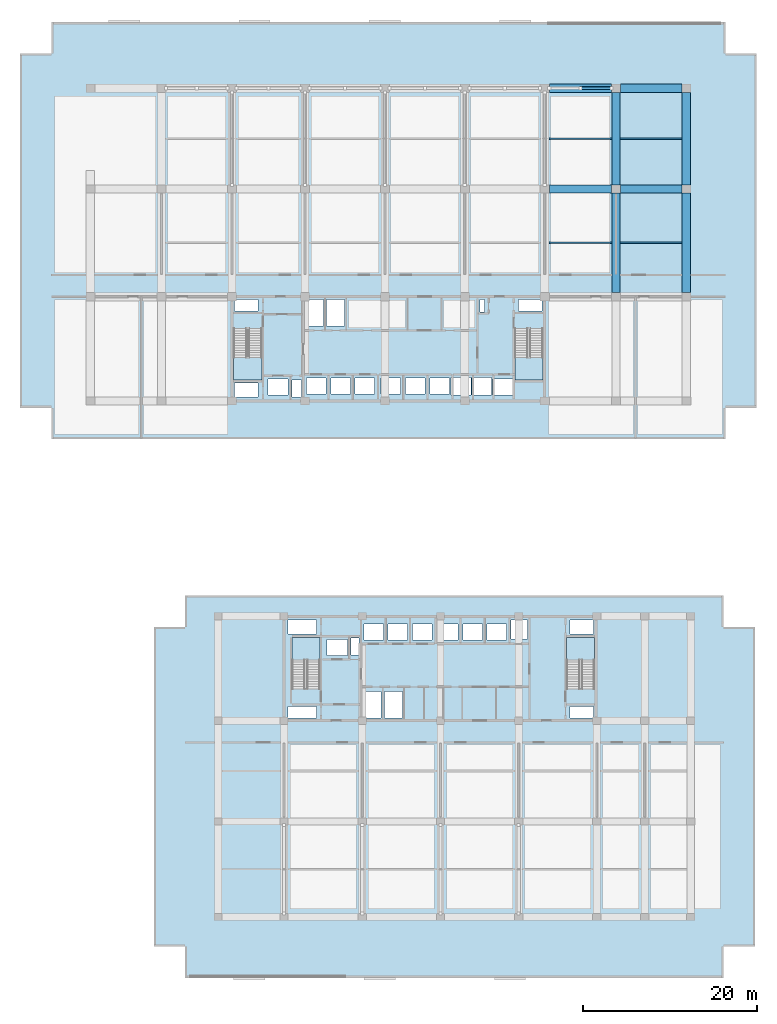
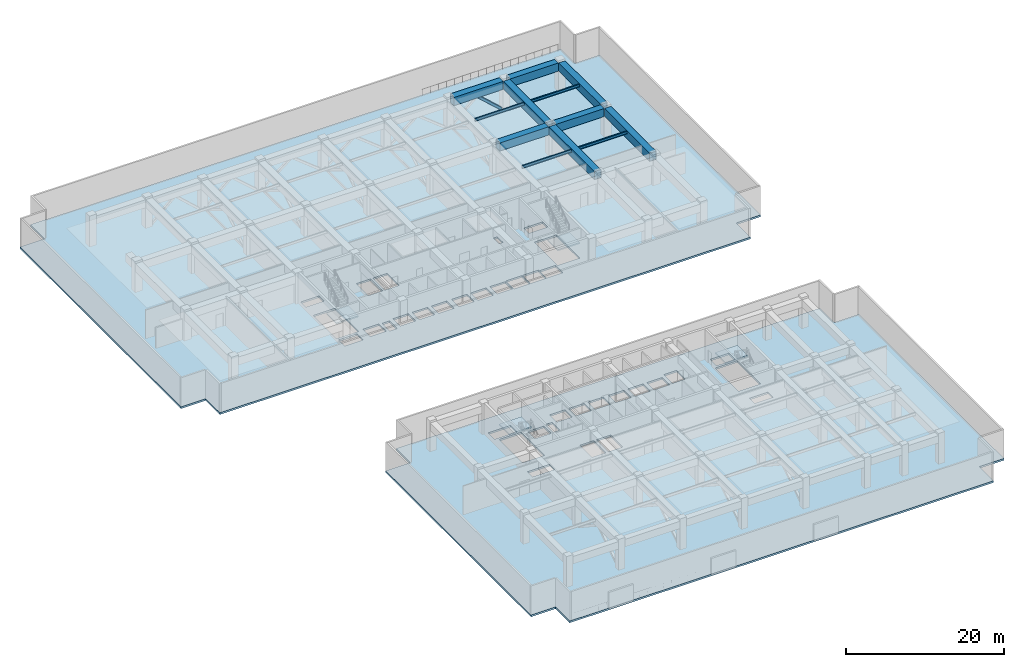
# One storey, part 3 of 21: 12 beams, 6 slabs, 1 member, 4 elements without a shape of their own.
"""IFC4 building model written with IfcOpenShell, lengths in metres."""

from ifc_helpers import new_model, si_unit, direction, frame, origin, origin_2d, place, context, subcontext, project, spatial, polyline, rectangle, hollow_rectangle, i_section, outline, extrude, material, layer, layer_set, material_profile, profile_set, type_object, element, aggregate, save


model = new_model("IFC4")

# Units and contexts
model_context = context("Model", 3, precision=1e-05, world=origin(), true_north=direction((0.0, 1.0)))
body_context = subcontext(model_context, "Body", "Model", "MODEL_VIEW")
ifc_project = project(units=[si_unit("LENGTHUNIT", "METRE"), si_unit("AREAUNIT", "SQUARE_METRE"), si_unit("VOLUMEUNIT", "CUBIC_METRE"), si_unit("PLANEANGLEUNIT", "RADIAN"), si_unit("MASSUNIT", "GRAM", prefix="KILO")], contexts=[model_context])

# Site, building, storey
site_placement = place(None, origin())
site = spatial("IfcSite", under=ifc_project, at=site_placement, CompositionType="ELEMENT")
building_placement = place(site_placement, origin())
building = spatial("IfcBuilding", under=site, at=building_placement, Name="Korimba Cascade Residences", CompositionType="ELEMENT")
storey_placement = place(building_placement, frame((0.0, 0.0, 76.0)))
storey = spatial("IfcBuildingStorey", under=building, at=storey_placement, Name="L21", CompositionType="ELEMENT", Elevation=76.0)

# Beams
ifc_material_1 = material(Name="Steel S355", Category="steel")
ifc_material_profile_1 = material_profile(ifc_material_1, i_section(OverallWidth=0.1787109375, OverallDepth=0.409423828125, WebThickness=0.0087890625, FlangeThickness=0.014404296875, FilletRadius=0.01025390625, at=origin_2d()), Name="Steel S355")
ifc_profile_set_1 = profile_set([ifc_material_profile_1], Name="Steel S355")
beam_type_1 = type_object("IfcBeamType", Name="BM-STL-UB406", PredefinedType="JOIST", material=ifc_profile_set_1)
beam_1_placement = place(storey_placement, frame((112.574951171875, 73.39990234375, 4.275390625), z_axis=(1.0, 0.0, 0.0), x_axis=(0.0, 1.0, 0.0)))
element("IfcBeam", 1, at=beam_1_placement, inside=storey, type_object=beam_type_1, Name="L21 T1 Floor Joist 1.7", PredefinedType="JOIST", context=body_context, shape_type="SweptSolid", body=[
    extrude(i_section(OverallWidth=0.1787109375, OverallDepth=0.409423828125, WebThickness=0.0087890625, FlangeThickness=0.014404296875, FilletRadius=0.01025390625, at=origin_2d()), origin(), (0.0, 0.0, 1.0), 7.25),
])
beam_2_placement = place(storey_placement, frame((120.77490234375, 73.39990234375, 4.275390625), z_axis=(1.0, 0.0, 0.0), x_axis=(0.0, 1.0, 0.0)))
element("IfcBeam", 2, at=beam_2_placement, inside=storey, type_object=beam_type_1, Name="L21 T1 Floor Joist 1.8", PredefinedType="JOIST", context=body_context, shape_type="SweptSolid", body=[
    extrude(i_section(OverallWidth=0.1787109375, OverallDepth=0.409423828125, WebThickness=0.0087890625, FlangeThickness=0.014404296875, FilletRadius=0.01025390625, at=origin_2d()), origin(), (0.0, 0.0, 1.0), 7.150146484375),
])
beam_3_placement = place(storey_placement, frame((112.574951171875, 85.39990234375, 4.275390625), z_axis=(1.0, 0.0, 0.0), x_axis=(0.0, 1.0, 0.0)))
element("IfcBeam", 3, at=beam_3_placement, inside=storey, type_object=beam_type_1, Name="L21 T1 Floor Joist 2.7", PredefinedType="JOIST", context=body_context, shape_type="SweptSolid", body=[
    extrude(i_section(OverallWidth=0.1787109375, OverallDepth=0.409423828125, WebThickness=0.0087890625, FlangeThickness=0.014404296875, FilletRadius=0.01025390625, at=origin_2d()), origin(), (0.0, 0.0, 1.0), 7.25),
])
beam_4_placement = place(storey_placement, frame((120.77490234375, 85.39990234375, 4.275390625), z_axis=(1.0, 0.0, 0.0), x_axis=(0.0, 1.0, 0.0)))
element("IfcBeam", 4, at=beam_4_placement, inside=storey, type_object=beam_type_1, Name="L21 T1 Floor Joist 2.8", PredefinedType="JOIST", context=body_context, shape_type="SweptSolid", body=[
    extrude(i_section(OverallWidth=0.1787109375, OverallDepth=0.409423828125, WebThickness=0.0087890625, FlangeThickness=0.014404296875, FilletRadius=0.01025390625, at=origin_2d()), origin(), (0.0, 0.0, 1.0), 7.150146484375),
])
ifc_material_2 = material(Name="Concrete C65/80", Category="concrete")
ifc_material_profile_2 = material_profile(ifc_material_2, rectangle(XDim=0.949951171875, YDim=1.25, at=origin_2d()), Name="Concrete C65/80")
ifc_profile_set_2 = profile_set([ifc_material_profile_2], Name="Concrete C65/80")
beam_type_2 = type_object("IfcBeamType", Name="BM-TRF-1250", PredefinedType="T_BEAM", material=ifc_profile_set_2)
beam_5_placement = place(storey_placement, frame((112.625, 79.60009765625, 3.85498046875), z_axis=(1.0, 0.0, 0.0), x_axis=(0.0, 1.0, 0.0)))
element("IfcBeam", 5, at=beam_5_placement, inside=storey, type_object=beam_type_2, Name="L21 T1 E-W Girder Y3 Bay 7", PredefinedType="T_BEAM", context=body_context, shape_type="SweptSolid", body=[
    extrude(rectangle(XDim=0.949951171875, YDim=1.25, at=origin_2d()), origin(), (0.0, 0.0, 1.0), 7.14990234375),
])
beam_6_placement = place(storey_placement, frame((120.824951171875, 79.60009765625, 3.85498046875), z_axis=(1.0, 0.0, 0.0), x_axis=(0.0, 1.0, 0.0)))
element("IfcBeam", 6, at=beam_6_placement, inside=storey, type_object=beam_type_2, Name="L21 T1 E-W Girder Y3 Bay 8", PredefinedType="T_BEAM", context=body_context, shape_type="SweptSolid", body=[
    extrude(rectangle(XDim=0.949951171875, YDim=1.25, at=origin_2d()), origin(), (0.0, 0.0, 1.0), 7.050048828125),
])
beam_7_placement = place(storey_placement, frame((112.625, 91.199951171875, 3.85498046875), z_axis=(1.0, 0.0, 0.0), x_axis=(0.0, 1.0, 0.0)))
element("IfcBeam", 7, at=beam_7_placement, inside=storey, type_object=beam_type_2, Name="L21 T1 E-W Girder Y4 Bay 7", PredefinedType="T_BEAM", context=body_context, shape_type="SweptSolid", body=[
    extrude(rectangle(XDim=0.949951171875, YDim=1.25, at=origin_2d()), origin(), (0.0, 0.0, 1.0), 7.14990234375),
])
beam_8_placement = place(storey_placement, frame((120.824951171875, 91.199951171875, 3.85498046875), z_axis=(1.0, 0.0, 0.0), x_axis=(0.0, 1.0, 0.0)))
element("IfcBeam", 8, at=beam_8_placement, inside=storey, type_object=beam_type_2, Name="L21 T1 E-W Girder Y4 Bay 8", PredefinedType="T_BEAM", context=body_context, shape_type="SweptSolid", body=[
    extrude(rectangle(XDim=0.949951171875, YDim=1.25, at=origin_2d()), origin(), (0.0, 0.0, 1.0), 7.050048828125),
])
beam_9_placement = place(storey_placement, frame((120.300048828125, 67.675048828125, 3.85498046875), z_axis=(0.0, 1.0, 0.0), x_axis=(-1.0, 0.0, 0.0)))
element("IfcBeam", 9, at=beam_9_placement, inside=storey, type_object=beam_type_2, Name="L21 T1 N-S Girder X8 Seg 2", PredefinedType="T_BEAM", context=body_context, shape_type="SweptSolid", body=[
    extrude(rectangle(XDim=0.949951171875, YDim=1.25, at=origin_2d()), origin(), (0.0, 0.0, 1.0), 11.449951171875),
])
beam_10_placement = place(storey_placement, frame((120.300048828125, 80.074951171875, 3.85498046875), z_axis=(0.0, 1.0, 0.0), x_axis=(-1.0, 0.0, 0.0)))
element("IfcBeam", 10, at=beam_10_placement, inside=storey, type_object=beam_type_2, Name="L21 T1 N-S Girder X8 Seg 3", PredefinedType="T_BEAM", context=body_context, shape_type="SweptSolid", body=[
    extrude(rectangle(XDim=0.949951171875, YDim=1.25, at=origin_2d()), origin(), (0.0, 0.0, 1.0), 10.650146484375),
])
beam_11_placement = place(storey_placement, frame((128.39990234375, 67.675048828125, 3.85498046875), z_axis=(0.0, 1.0, 0.0), x_axis=(-1.0, 0.0, 0.0)))
element("IfcBeam", 11, at=beam_11_placement, inside=storey, type_object=beam_type_2, Name="L21 T1 N-S Girder X9 Seg 2", PredefinedType="T_BEAM", context=body_context, shape_type="SweptSolid", body=[
    extrude(rectangle(XDim=0.949951171875, YDim=1.25, at=origin_2d()), origin(), (0.0, 0.0, 1.0), 11.449951171875),
])
beam_12_placement = place(storey_placement, frame((128.39990234375, 80.074951171875, 3.85498046875), z_axis=(0.0, 1.0, 0.0), x_axis=(-1.0, 0.0, 0.0)))
element("IfcBeam", 12, at=beam_12_placement, inside=storey, type_object=beam_type_2, Name="L21 T1 N-S Girder X9 Seg 3", PredefinedType="T_BEAM", context=body_context, shape_type="SweptSolid", body=[
    extrude(rectangle(XDim=0.949951171875, YDim=1.25, at=origin_2d()), origin(), (0.0, 0.0, 1.0), 10.650146484375),
])

# Member
ifc_material_3 = material(Name="Steel S460", Category="steel")
ifc_material_profile_3 = material_profile(ifc_material_3, hollow_rectangle(XDim=0.35009765625, YDim=0.35009765625, WallThickness=0.01611328125, InnerFilletRadius=0.01611328125, OuterFilletRadius=0.031982421875, at=origin_2d()), Name="Steel S460")
ifc_profile_set_3 = profile_set([ifc_material_profile_3], Name="Steel S460")
member_type = type_object("IfcMemberType", Name="MEM-BLT-SHS350", PredefinedType="BRACE", material=ifc_profile_set_3)
member_placement = place(storey_placement, frame((119.77490234375, 91.199951171875, 0.0), z_axis=(-0.742000185231, 0.0, 0.670399675654), x_axis=(0.0, -1.0, 0.0)))
element("IfcMember", 13, at=member_placement, inside=storey, type_object=member_type, Name="L21 T1 Belt Chevron 6B", PredefinedType="BRACE", context=body_context, shape_type="SweptSolid", body=[
    extrude(hollow_rectangle(XDim=0.35009765625, YDim=0.35009765625, WallThickness=0.01611328125, InnerFilletRadius=0.01611328125, OuterFilletRadius=0.031982421875, at=origin_2d()), origin(), (0.0, 0.0, 1.0), 4.81787109375),
])

# Stair, slab
ifc_material_4 = material(Name="Concrete C50/60", Category="concrete")
stair_type_1 = type_object("IfcStairType", Name="STR-W1-26R-1846", PredefinedType="HALF_TURN_STAIR", material=ifc_material_4)
stair_1_placement = place(storey_placement, origin())
stair_1 = element("IfcStair", 14, at=stair_1_placement, inside=storey, type_object=stair_type_1, Name="L21 Tower 1 West Fire Stair ST-W1", PredefinedType="HALF_TURN_STAIR")
ifc_layer_1 = layer(ifc_material_4, 0.199951171875)
ifc_layer_set_1 = layer_set([ifc_layer_1], Name="Concrete C50/60")
slab_type_1 = type_object("IfcSlabType", Name="SLB-LND-220", PredefinedType="LANDING", material=ifc_layer_set_1)
slab_1_placement = place(storey_placement, frame((0.0, 0.0, 2.199951171875)))
slab_1 = element("IfcSlab", 15, at=slab_1_placement, type_object=slab_type_1, Name="ST-W1 landing 1", PredefinedType="LANDING", context=body_context, shape_type="SweptSolid", body=[
    extrude(outline(polyline([(76.300048828125, 60.18994140625), (76.300048828125, 57.60009765625), (79.5400390625, 57.60009765625), (79.5400390625, 60.18994140625), (76.300048828125, 60.18994140625)])), origin(), (0.0, 0.0, 1.0), 0.199951171875),
])
aggregate(stair_1, [slab_1])

stair_type_2 = type_object("IfcStairType", Name="STR-W2-26R-1846", PredefinedType="HALF_TURN_STAIR", material=ifc_material_4)
stair_2_placement = place(storey_placement, origin())
stair_2 = element("IfcStair", 16, at=stair_2_placement, inside=storey, type_object=stair_type_2, Name="L21 Tower 1 East Fire Stair ST-W2", PredefinedType="HALF_TURN_STAIR")
slab_2_placement = place(storey_placement, frame((0.0, 0.0, 2.199951171875)))
slab_2 = element("IfcSlab", 17, at=slab_2_placement, type_object=slab_type_1, Name="ST-W2 landing 1", PredefinedType="LANDING", context=body_context, shape_type="SweptSolid", body=[
    extrude(outline(polyline([(108.659912109375, 60.18994140625), (108.659912109375, 57.60009765625), (111.89990234375, 57.60009765625), (111.89990234375, 60.18994140625), (108.659912109375, 60.18994140625)])), origin(), (0.0, 0.0, 1.0), 0.199951171875),
])
aggregate(stair_2, [slab_2])

stair_type_3 = type_object("IfcStairType", Name="STR-E1-26R-1846", PredefinedType="HALF_TURN_STAIR", material=ifc_material_4)
stair_3_placement = place(storey_placement, origin())
stair_3 = element("IfcStair", 18, at=stair_3_placement, inside=storey, type_object=stair_type_3, Name="L21 Tower 2 West Fire Stair ST-E1", PredefinedType="HALF_TURN_STAIR")
slab_3_placement = place(storey_placement, frame((0.0, 0.0, 2.199951171875)))
slab_3 = element("IfcSlab", 19, at=slab_3_placement, type_object=slab_type_1, Name="ST-E1 landing 1", PredefinedType="LANDING", context=body_context, shape_type="SweptSolid", body=[
    extrude(outline(polyline([(86.239990234375, 25.409912109375), (86.239990234375, 28.0), (83.0, 28.0), (83.0, 25.409912109375), (86.239990234375, 25.409912109375)])), origin(), (0.0, 0.0, 1.0), 0.199951171875),
])
aggregate(stair_3, [slab_3])

stair_type_4 = type_object("IfcStairType", Name="STR-E2-26R-1846", PredefinedType="HALF_TURN_STAIR", material=ifc_material_4)
stair_4_placement = place(storey_placement, origin())
stair_4 = element("IfcStair", 20, at=stair_4_placement, inside=storey, type_object=stair_type_4, Name="L21 Tower 2 East Fire Stair ST-E2", PredefinedType="HALF_TURN_STAIR")
slab_4_placement = place(storey_placement, frame((0.0, 0.0, 2.199951171875)))
slab_4 = element("IfcSlab", 21, at=slab_4_placement, type_object=slab_type_1, Name="ST-E2 landing 1", PredefinedType="LANDING", context=body_context, shape_type="SweptSolid", body=[
    extrude(outline(polyline([(117.840087890625, 25.409912109375), (117.840087890625, 28.0), (114.60009765625, 28.0), (114.60009765625, 25.409912109375), (117.840087890625, 25.409912109375)])), origin(), (0.0, 0.0, 1.0), 0.199951171875),
])
aggregate(stair_4, [slab_4])

# Slabs
ifc_layer_2 = layer(ifc_material_4, 0.280029296875)
ifc_layer_set_2 = layer_set([ifc_layer_2], Name="Concrete C50/60")
slab_type_2 = type_object("IfcSlabType", Name="SLB-REF-280", PredefinedType="FLOOR", material=ifc_layer_set_2)
slab_5_placement = place(storey_placement, frame((0.0, 0.0, -0.280029296875)))
element("IfcSlab", 22, at=slab_5_placement, inside=storey, type_object=slab_type_2, Name="L21 Tower 1 Floor Slab", PredefinedType="FLOOR", context=body_context, shape_type="SweptSolid", body=[
    extrude(outline(polyline([(55.300048828125, 50.800048828125), (132.89990234375, 50.800048828125), (132.89990234375, 54.39990234375), (136.5, 54.39990234375), (136.5, 95.199951171875), (132.89990234375, 95.199951171875), (132.89990234375, 98.800048828125), (55.300048828125, 98.800048828125), (55.300048828125, 95.199951171875), (51.699951171875, 95.199951171875), (51.699951171875, 54.39990234375), (55.300048828125, 54.39990234375), (55.300048828125, 50.800048828125)]), holes=[polyline([(76.300048828125, 63.514892578125), (76.300048828125, 57.60009765625), (79.5400390625, 57.60009765625), (79.5400390625, 63.514892578125), (76.300048828125, 63.514892578125)]), polyline([(108.659912109375, 63.514892578125), (108.659912109375, 57.60009765625), (111.89990234375, 57.60009765625), (111.89990234375, 63.514892578125), (108.659912109375, 63.514892578125)]), polyline([(80.22998046875, 55.8798828125), (82.570068359375, 55.8798828125), (82.570068359375, 57.719970703125), (80.22998046875, 57.719970703125), (80.22998046875, 55.8798828125)]), polyline([(106.080078125, 55.8798828125), (108.419921875, 55.8798828125), (108.419921875, 57.719970703125), (106.080078125, 57.719970703125), (106.080078125, 55.8798828125)]), polyline([(84.679931640625, 55.97998046875), (86.919921875, 55.97998046875), (86.919921875, 57.820068359375), (84.679931640625, 57.820068359375), (84.679931640625, 55.97998046875)]), polyline([(87.47998046875, 55.97998046875), (89.719970703125, 55.97998046875), (89.719970703125, 57.820068359375), (87.47998046875, 57.820068359375), (87.47998046875, 55.97998046875)]), polyline([(90.280029296875, 55.97998046875), (92.52001953125, 55.97998046875), (92.52001953125, 57.820068359375), (90.280029296875, 57.820068359375), (90.280029296875, 55.97998046875)]), polyline([(93.280029296875, 55.97998046875), (95.52001953125, 55.97998046875), (95.52001953125, 57.820068359375), (93.280029296875, 57.820068359375), (93.280029296875, 55.97998046875)]), polyline([(96.080078125, 55.97998046875), (98.320068359375, 55.97998046875), (98.320068359375, 57.820068359375), (96.080078125, 57.820068359375), (96.080078125, 55.97998046875)]), polyline([(98.8798828125, 55.97998046875), (101.1201171875, 55.97998046875), (101.1201171875, 57.820068359375), (98.8798828125, 57.820068359375), (98.8798828125, 55.97998046875)]), polyline([(101.304931640625, 55.8798828125), (103.594970703125, 55.8798828125), (103.594970703125, 57.919921875), (101.304931640625, 57.919921875), (101.304931640625, 55.8798828125)]), polyline([(103.705078125, 55.8798828125), (105.9951171875, 55.8798828125), (105.9951171875, 57.919921875), (103.705078125, 57.919921875), (103.705078125, 55.8798828125)]), polyline([(82.97998046875, 55.679931640625), (84.080078125, 55.679931640625), (84.080078125, 57.6201171875), (82.97998046875, 57.6201171875), (82.97998046875, 55.679931640625)]), polyline([(76.39990234375, 65.56005859375), (79.10009765625, 65.56005859375), (79.10009765625, 66.8798828125), (76.39990234375, 66.8798828125), (76.39990234375, 65.56005859375)]), polyline([(76.39990234375, 55.679931640625), (79.10009765625, 55.679931640625), (79.10009765625, 57.239990234375), (76.39990234375, 57.239990234375), (76.39990234375, 55.679931640625)]), polyline([(84.530029296875, 63.820068359375), (86.6201171875, 63.820068359375), (86.6201171875, 66.8798828125), (84.530029296875, 66.8798828125), (84.530029296875, 63.820068359375)]), polyline([(86.97998046875, 63.820068359375), (89.070068359375, 63.820068359375), (89.070068359375, 66.8798828125), (86.97998046875, 66.8798828125), (86.97998046875, 63.820068359375)]), polyline([(104.6201171875, 65.4599609375), (105.179931640625, 65.4599609375), (105.179931640625, 66.8798828125), (104.6201171875, 66.8798828125), (104.6201171875, 65.4599609375)]), polyline([(109.080078125, 65.56005859375), (111.800048828125, 65.56005859375), (111.800048828125, 66.8798828125), (109.080078125, 66.8798828125), (109.080078125, 65.56005859375)])]), origin(), (0.0, 0.0, 1.0), 0.280029296875),
])
slab_6_placement = place(storey_placement, frame((0.0, 0.0, -0.280029296875)))
element("IfcSlab", 23, at=slab_6_placement, inside=storey, type_object=slab_type_2, Name="L21 Tower 2 Floor Slab", PredefinedType="FLOOR", context=body_context, shape_type="SweptSolid", body=[
    extrude(outline(polyline([(70.699951171875, -11.199951171875), (132.699951171875, -11.199951171875), (132.699951171875, -7.60009765625), (136.300048828125, -7.60009765625), (136.300048828125, 29.199951171875), (132.699951171875, 29.199951171875), (132.699951171875, 32.800048828125), (70.699951171875, 32.800048828125), (70.699951171875, 29.199951171875), (67.10009765625, 29.199951171875), (67.10009765625, -7.60009765625), (70.699951171875, -7.60009765625), (70.699951171875, -11.199951171875)]), holes=[polyline([(86.239990234375, 22.0849609375), (86.239990234375, 28.0), (83.0, 28.0), (83.0, 22.0849609375), (86.239990234375, 22.0849609375)]), polyline([(117.840087890625, 22.0849609375), (117.840087890625, 28.0), (114.60009765625, 28.0), (114.60009765625, 22.0849609375), (117.840087890625, 22.0849609375)]), polyline([(87.030029296875, 25.8798828125), (89.3701171875, 25.8798828125), (89.3701171875, 27.719970703125), (87.030029296875, 27.719970703125), (87.030029296875, 25.8798828125)]), polyline([(91.280029296875, 27.679931640625), (93.52001953125, 27.679931640625), (93.52001953125, 29.52001953125), (91.280029296875, 29.52001953125), (91.280029296875, 27.679931640625)]), polyline([(94.080078125, 27.679931640625), (96.320068359375, 27.679931640625), (96.320068359375, 29.52001953125), (94.080078125, 29.52001953125), (94.080078125, 27.679931640625)]), polyline([(96.8798828125, 27.679931640625), (99.1201171875, 27.679931640625), (99.1201171875, 29.52001953125), (96.8798828125, 29.52001953125), (96.8798828125, 27.679931640625)]), polyline([(99.8798828125, 27.679931640625), (102.1201171875, 27.679931640625), (102.1201171875, 29.52001953125), (99.8798828125, 29.52001953125), (99.8798828125, 27.679931640625)]), polyline([(102.679931640625, 27.679931640625), (104.919921875, 27.679931640625), (104.919921875, 29.52001953125), (102.679931640625, 29.52001953125), (102.679931640625, 27.679931640625)]), polyline([(105.47998046875, 27.679931640625), (107.719970703125, 27.679931640625), (107.719970703125, 29.52001953125), (105.47998046875, 29.52001953125), (105.47998046875, 27.679931640625)]), polyline([(89.780029296875, 25.97998046875), (90.719970703125, 25.97998046875), (90.719970703125, 27.919921875), (89.780029296875, 27.919921875), (89.780029296875, 25.97998046875)]), polyline([(82.530029296875, 18.72998046875), (85.800048828125, 18.72998046875), (85.800048828125, 20.0400390625), (82.530029296875, 20.0400390625), (82.530029296875, 18.72998046875)]), polyline([(82.530029296875, 28.360107421875), (85.800048828125, 28.360107421875), (85.800048828125, 29.969970703125), (82.530029296875, 29.969970703125), (82.530029296875, 28.360107421875)]), polyline([(108.22998046875, 27.780029296875), (110.1201171875, 27.780029296875), (110.1201171875, 29.969970703125), (108.22998046875, 29.969970703125), (108.22998046875, 27.780029296875)]), polyline([(91.22998046875, 18.72998046875), (93.27001953125, 18.72998046875), (93.27001953125, 21.780029296875), (91.22998046875, 21.780029296875), (91.22998046875, 18.72998046875)]), polyline([(93.6298828125, 18.72998046875), (95.719970703125, 18.72998046875), (95.719970703125, 21.780029296875), (93.6298828125, 21.780029296875), (93.6298828125, 18.72998046875)]), polyline([(115.02001953125, 18.72998046875), (117.739990234375, 18.72998046875), (117.739990234375, 20.0400390625), (115.02001953125, 20.0400390625), (115.02001953125, 18.72998046875)]), polyline([(115.02001953125, 28.360107421875), (117.739990234375, 28.360107421875), (117.739990234375, 29.969970703125), (115.02001953125, 29.969970703125), (115.02001953125, 28.360107421875)])]), origin(), (0.0, 0.0, 1.0), 0.280029296875),
])

save(model, "model.ifc")
